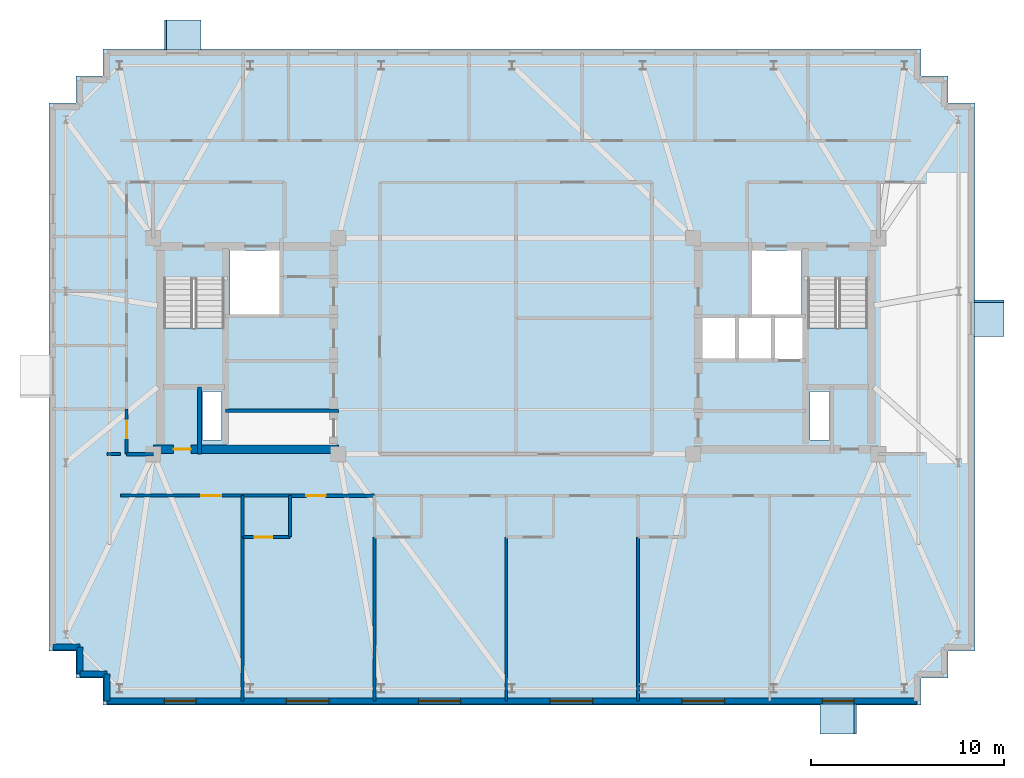
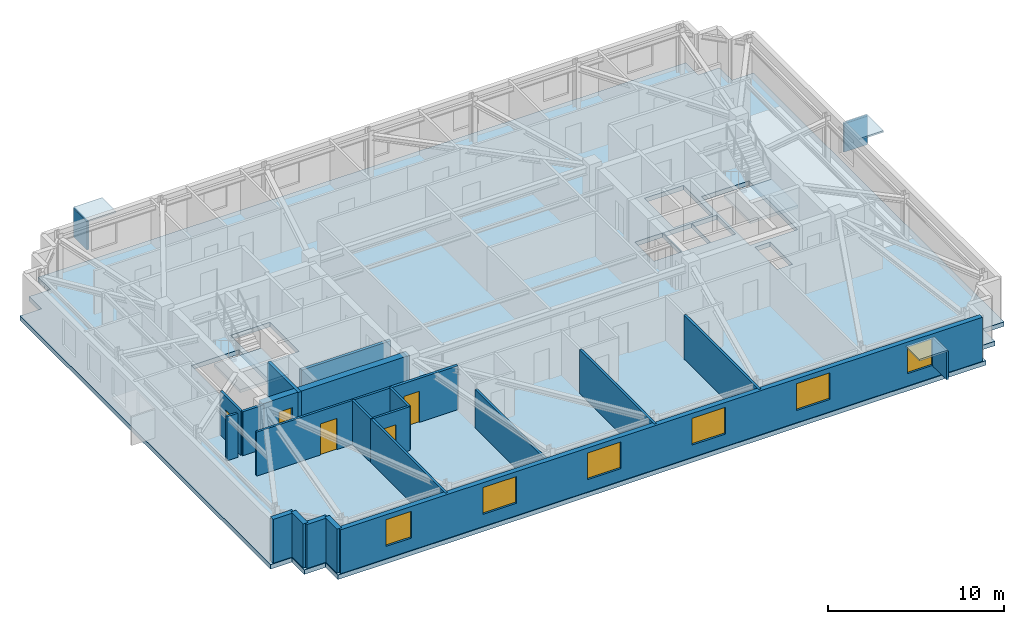
# One storey, part 5 of 11: 21 walls, 6 plates, 6 windows, 5 doors, 3 slabs, 11 openings, 2 elements without a shape of their own.
"""IFC4 building model written with IfcOpenShell, lengths in metres."""

from ifc_helpers import new_model, si_unit, direction, frame, frame_2d, origin, origin_2d, place, context, subcontext, project, spatial, polyline, rectangle, outline, extrude, material, layer, layer_set, type_object, element, fill, aggregate, save


model = new_model("IFC4")

# Units and contexts
model_context = context("Model", 3, precision=1e-05, world=origin(), true_north=direction((0.0, 1.0)))
body_context = subcontext(model_context, "Body", "Model", "MODEL_VIEW")
ifc_project = project(units=[si_unit("LENGTHUNIT", "METRE"), si_unit("AREAUNIT", "SQUARE_METRE"), si_unit("VOLUMEUNIT", "CUBIC_METRE"), si_unit("PLANEANGLEUNIT", "RADIAN"), si_unit("MASSUNIT", "GRAM", prefix="KILO")], contexts=[model_context])

# Site, building, storey
site_placement = place(None, origin())
site = spatial("IfcSite", under=ifc_project, at=site_placement, CompositionType="ELEMENT")
building_placement = place(site_placement, origin())
building = spatial("IfcBuilding", under=site, at=building_placement, Name="Qobustan Lattice House", CompositionType="ELEMENT")
storey_placement = place(building_placement, frame((0.0, 0.0, 248.39990234375)))
storey = spatial("IfcBuildingStorey", under=building, at=storey_placement, Name="L70", CompositionType="ELEMENT", Elevation=248.39990234375)

# Plates
ifc_material_1 = material(Name="Qobustan limestone GFRC", Category="masonry")
ifc_layer_1 = layer(ifc_material_1, 0.1201171875)
ifc_layer_set_1 = layer_set([ifc_layer_1], Name="Qobustan limestone GFRC")
plate_type = type_object("IfcPlateType", Name="SHD-HOOD-BROW", PredefinedType="USERDEFINED", material=ifc_layer_set_1)
plate_1_placement = place(storey_placement, frame((-17.280029296875, 16.1298828125, 2.699951171875), z_axis=(0.0, 0.0, 1.0), x_axis=(1.0, 0.0, 0.0)))
element("IfcPlate", 1, at=plate_1_placement, inside=storey, type_object=plate_type, Name="L70 splayed Qobustan stone hood brow", ObjectType="SUNSHADE", PredefinedType="USERDEFINED", context=body_context, shape_type="SweptSolid", body=[
    extrude(rectangle(XDim=1.889892578125, YDim=1.56005859375, at=origin_2d()), origin(), (0.0, 0.0, 1.0), 0.1201171875),
])
plate_2_placement = place(storey_placement, frame((-18.1650390625, 16.1298828125, 0.7900390625), z_axis=(0.0, 0.0, 1.0), x_axis=(1.0, 0.0, 0.0)))
element("IfcPlate", 2, at=plate_2_placement, inside=storey, type_object=plate_type, Name="L70 splayed Qobustan stone hood cheek", ObjectType="SUNSHADE", PredefinedType="USERDEFINED", context=body_context, shape_type="SweptSolid", body=[
    extrude(rectangle(XDim=0.1201171875, YDim=1.56005859375, at=origin_2d()), origin(), (0.0, 0.0, 1.0), 1.969970703125),
])
plate_3_placement = place(storey_placement, frame((24.530029296875, 1.43994140625, 2.699951171875), z_axis=(0.0, 0.0, 1.0), x_axis=(0.0, -1.0, 0.0)))
element("IfcPlate", 3, at=plate_3_placement, inside=storey, type_object=plate_type, Name="L70 splayed Qobustan stone hood brow", ObjectType="SUNSHADE", PredefinedType="USERDEFINED", context=body_context, shape_type="SweptSolid", body=[
    extrude(rectangle(XDim=1.889892578125, YDim=1.56005859375, at=origin_2d()), origin(), (0.0, 0.0, 1.0), 0.1201171875),
])
plate_4_placement = place(storey_placement, frame((24.530029296875, 2.324951171875, 0.7900390625), z_axis=(0.0, 0.0, 1.0), x_axis=(0.0, -1.0, 0.0)))
element("IfcPlate", 4, at=plate_4_placement, inside=storey, type_object=plate_type, Name="L70 splayed Qobustan stone hood cheek", ObjectType="SUNSHADE", PredefinedType="USERDEFINED", context=body_context, shape_type="SweptSolid", body=[
    extrude(rectangle(XDim=0.1201171875, YDim=1.56005859375, at=origin_2d()), origin(), (0.0, 0.0, 1.0), 1.969970703125),
])
plate_5_placement = place(storey_placement, frame((16.719970703125, -19.330078125, 2.699951171875), z_axis=(0.0, 0.0, 1.0), x_axis=(-1.0, 0.0, 0.0)))
element("IfcPlate", 5, at=plate_5_placement, inside=storey, type_object=plate_type, Name="L70 splayed Qobustan stone hood brow", ObjectType="SUNSHADE", PredefinedType="USERDEFINED", context=body_context, shape_type="SweptSolid", body=[
    extrude(rectangle(XDim=1.889892578125, YDim=1.56005859375, at=origin_2d()), origin(), (0.0, 0.0, 1.0), 0.1201171875),
])
plate_6_placement = place(storey_placement, frame((17.60498046875, -19.330078125, 0.7900390625), z_axis=(0.0, 0.0, 1.0), x_axis=(-1.0, 0.0, 0.0)))
element("IfcPlate", 6, at=plate_6_placement, inside=storey, type_object=plate_type, Name="L70 splayed Qobustan stone hood cheek", ObjectType="SUNSHADE", PredefinedType="USERDEFINED", context=body_context, shape_type="SweptSolid", body=[
    extrude(rectangle(XDim=0.1201171875, YDim=1.56005859375, at=origin_2d()), origin(), (0.0, 0.0, 1.0), 1.969970703125),
])

# Slab
ifc_material_2 = material(Name="Concrete C40/50", Category="concrete")
ifc_layer_2 = layer(ifc_material_2, 0.31005859375)
ifc_layer_set_2 = layer_set([ifc_layer_2], Name="Concrete C40/50")
slab_type_1 = type_object("IfcSlabType", Name="SLB-FLR-310", PredefinedType="FLOOR", material=ifc_layer_set_2)
slab_1_placement = place(storey_placement, frame((0.0, 0.0, -0.309814453125)))
element("IfcSlab", 7, at=slab_1_placement, inside=storey, type_object=slab_type_1, Name="L70 structural floor slab", PredefinedType="FLOOR", context=body_context, shape_type="SweptSolid", body=[
    extrude(outline(polyline([(-21.39990234375, -18.60009765625), (21.0, -18.60009765625), (21.0, -17.199951171875), (22.39990234375, -17.199951171875), (22.39990234375, -15.800048828125), (23.800048828125, -15.800048828125), (23.800048828125, 12.60009765625), (22.39990234375, 12.60009765625), (22.39990234375, 14.0), (21.0, 14.0), (21.0, 15.39990234375), (-21.39990234375, 15.39990234375), (-21.39990234375, 14.0), (-22.800048828125, 14.0), (-22.800048828125, 12.60009765625), (-24.199951171875, 12.60009765625), (-24.199951171875, -15.800048828125), (-22.800048828125, -15.800048828125), (-22.800048828125, -17.199951171875), (-21.39990234375, -17.199951171875), (-21.39990234375, -18.60009765625)]), holes=[polyline([(-18.25, -2.050048828125), (-18.25, 3.489990234375), (-15.1298828125, 3.489990234375), (-15.1298828125, -2.050048828125), (-18.25, -2.050048828125)]), polyline([(15.1298828125, -2.050048828125), (15.1298828125, 3.489990234375), (18.25, 3.489990234375), (18.25, -2.050048828125), (15.1298828125, -2.050048828125)]), polyline([(-14.820068359375, 1.64990234375), (-14.820068359375, 4.9599609375), (-12.25, 4.9599609375), (-12.25, 1.64990234375), (-14.820068359375, 1.64990234375)]), polyline([(12.25, 1.64990234375), (12.25, 4.9599609375), (14.820068359375, 4.9599609375), (14.820068359375, 1.64990234375), (12.25, 1.64990234375)]), polyline([(-16.260009765625, -4.8798828125), (-16.260009765625, -2.360107421875), (-15.260009765625, -2.360107421875), (-15.260009765625, -4.8798828125), (-16.260009765625, -4.8798828125)]), polyline([(15.260009765625, -4.8798828125), (15.260009765625, -2.360107421875), (16.260009765625, -2.360107421875), (16.260009765625, -4.8798828125), (15.260009765625, -4.8798828125)]), polyline([(13.360107421875, -0.679931640625), (13.360107421875, 1.47998046875), (14.97998046875, 1.47998046875), (14.97998046875, -0.679931640625), (13.360107421875, -0.679931640625)]), polyline([(9.6201171875, -0.679931640625), (9.6201171875, 1.47998046875), (11.43994140625, 1.47998046875), (11.43994140625, -0.679931640625), (9.6201171875, -0.679931640625)]), polyline([(11.5, -0.679931640625), (11.5, 1.47998046875), (13.320068359375, 1.47998046875), (13.320068359375, -0.679931640625), (11.5, -0.679931640625)])]), origin(), (0.0, 0.0, 1.0), 0.309814453125),
])

# Stair, slab
ifc_material_3 = material(Name="Concrete C40/50", Category="concrete")
stair_type = type_object("IfcStairType", Name="STR-CORE-DOGLEG", PredefinedType="HALF_TURN_STAIR", material=ifc_material_3)
stair_1_placement = place(storey_placement, origin())
stair_1 = element("IfcStair", 8, at=stair_1_placement, inside=storey, type_object=stair_type, Name="L70 West protected exit stair ST-W1", PredefinedType="HALF_TURN_STAIR")
ifc_material_4 = material(Name="Concrete C40/50", Category="concrete")
ifc_layer_3 = layer(ifc_material_4, 0.199951171875)
ifc_layer_set_3 = layer_set([ifc_layer_3], Name="Concrete C40/50")
slab_type_2 = type_object("IfcSlabType", Name="SLB-LANDING-200", PredefinedType="LANDING", material=ifc_layer_set_3)
slab_2_placement = place(storey_placement, frame((0.0, 0.0, 1.47509765625)))
slab_2 = element("IfcSlab", 9, at=slab_2_placement, type_object=slab_type_2, Name="ST-W1 landing 1", PredefinedType="LANDING", context=body_context, shape_type="SweptSolid", body=[
    extrude(outline(polyline([(-18.25, 0.93505859375), (-18.25, -2.050048828125), (-15.1298828125, -2.050048828125), (-15.1298828125, 0.93505859375), (-18.25, 0.93505859375)])), origin(), (0.0, 0.0, 1.0), 0.199951171875),
])
aggregate(stair_1, [slab_2])

stair_2_placement = place(storey_placement, origin())
stair_2 = element("IfcStair", 10, at=stair_2_placement, inside=storey, type_object=stair_type, Name="L70 East protected exit stair ST-E1", PredefinedType="HALF_TURN_STAIR")
slab_3_placement = place(storey_placement, frame((0.0, 0.0, 1.47509765625)))
slab_3 = element("IfcSlab", 11, at=slab_3_placement, type_object=slab_type_2, Name="ST-E1 landing 1", PredefinedType="LANDING", context=body_context, shape_type="SweptSolid", body=[
    extrude(outline(polyline([(15.1298828125, 0.93505859375), (15.1298828125, -2.050048828125), (18.25, -2.050048828125), (18.25, 0.93505859375), (15.1298828125, 0.93505859375)])), origin(), (0.0, 0.0, 1.0), 0.199951171875),
])
aggregate(stair_2, [slab_3])

# Wall, opening, door
ifc_material_5 = material(Name="Concrete C50/60", Category="concrete")
ifc_layer_4 = layer(ifc_material_5, 0.43994140625)
ifc_layer_set_4 = layer_set([ifc_layer_4], Name="Concrete C50/60")
wall_type_1 = type_object("IfcWallType", Name="WAL-CORE-440", PredefinedType="SHEAR", material=ifc_layer_set_4)
wall_1_placement = place(storey_placement, frame((-18.800048828125, -5.35009765625, 0.0), z_axis=(0.0, 0.0, 1.0), x_axis=(1.0, 0.0, 0.0)))
wall_1 = element("IfcWall", 12, at=wall_1_placement, inside=storey, type_object=wall_type_1, Name="L70 split-core shear wall CW-S", PredefinedType="SHEAR", context=body_context, shape_type="SweptSolid", body=[
    extrude(rectangle(XDim=9.60009765625, YDim=0.43994140625, at=frame_2d((4.800048828125, 0.0))), origin(), (0.0, 0.0, 1.0), 3.0400390625),
])
opening_1_placement = place(wall_1_placement, frame((1.050048828125, 0.0, 0.0)))
opening_1 = element("IfcOpeningElement", 13, at=opening_1_placement, cuts=wall_1, Name="Opening RD-01", PredefinedType="OPENING", context=body_context, shape_type="SweptSolid", body=[
    extrude(rectangle(XDim=0.89990234375, YDim=2.10009765625, at=frame_2d((0.449951171875, 1.050048828125))), frame((0.0, 0.22998046875, 0.0), z_axis=(0.0, -1.0, 0.0), x_axis=(1.0, 0.0, 0.0)), (0.0, 0.0, 1.0), 0.4599609375),
])
ifc_material_6 = material(Name="Persian walnut timber and steel frame door", Category="steel")
door_type_1 = type_object("IfcDoorType", Name="DOR-RISER-FD-900x2100", OperationType="NOTDEFINED", PredefinedType="DOOR", material=ifc_material_6)
door_1_placement = place(opening_1_placement, origin())
door_1 = element("IfcDoor", 14, at=door_1_placement, inside=storey, type_object=door_type_1, Name="L70 core service riser access door W", OperationType="SINGLE_SWING_RIGHT", OverallHeight=2.10009765625, OverallWidth=0.89990234375, PredefinedType="DOOR", context=body_context, shape_type="SweptSolid", body=[
    extrude(rectangle(XDim=0.89990234375, YDim=2.10009765625, at=frame_2d((0.449951171875, 1.050048828125))), frame((0.0, 0.02490234375, 0.0), z_axis=(0.0, -1.0, 0.0), x_axis=(1.0, 0.0, 0.0)), (0.0, 0.0, 1.0), 0.050048828125),
])
fill(opening_1, door_1)

# Walls
ifc_material_7 = material(Name="Precast concrete C40/50", Category="concrete")
ifc_layer_5 = layer(ifc_material_7, 0.320068359375)
ifc_layer_set_5 = layer_set([ifc_layer_5], Name="Precast concrete C40/50")
wall_type_2 = type_object("IfcWallType", Name="WAL-EXT-STONE-320", PredefinedType="SOLIDWALL", material=ifc_layer_set_5)
wall_2_placement = place(storey_placement, frame((-21.199951171875, -18.39990234375, 0.0), z_axis=(0.0, 0.0, 1.0), x_axis=(0.0, 1.0, 0.0)))
element("IfcWall", 15, at=wall_2_placement, inside=storey, type_object=wall_type_2, Name="L70 exterior limestone-clad wall 1", PredefinedType="SOLIDWALL", context=body_context, shape_type="SweptSolid", body=[
    extrude(rectangle(XDim=1.39990234375, YDim=0.320068359375, at=frame_2d((0.699951171875, 0.0))), origin(), (0.0, 0.0, 1.0), 3.0400390625),
])
wall_3_placement = place(storey_placement, frame((-21.199951171875, -17.0, 0.0), z_axis=(0.0, 0.0, 1.0), x_axis=(-1.0, 0.0, 0.0)))
element("IfcWall", 16, at=wall_3_placement, inside=storey, type_object=wall_type_2, Name="L70 exterior limestone-clad wall 2", PredefinedType="SOLIDWALL", context=body_context, shape_type="SweptSolid", body=[
    extrude(rectangle(XDim=1.400146484375, YDim=0.320068359375, at=frame_2d((0.7001953125, 0.0))), origin(), (0.0, 0.0, 1.0), 3.0400390625),
])
for number, where, z_axis, x_axis, name in (
    (17, (-22.60009765625, -17.0, 0.0), (0.0, 0.0, 1.0), (0.0, 1.0, 0.0), "L70 exterior limestone-clad wall 3"),
    (18, (-22.60009765625, -15.60009765625, 0.0), (0.0, 0.0, 1.0), (-1.0, 0.0, 0.0), "L70 exterior limestone-clad wall 4"),
):
    element("IfcWall", number, at=place(storey_placement, frame(where, z_axis=z_axis, x_axis=x_axis)), inside=storey, type_object=wall_type_2, Name=name, PredefinedType="SOLIDWALL", context=body_context, shape_type="SweptSolid", body=[
        extrude(rectangle(XDim=1.39990234375, YDim=0.320068359375, at=frame_2d((0.699951171875, 0.0))), origin(), (0.0, 0.0, 1.0), 3.0400390625),
    ])

# Wall, openings, windows
wall_4_placement = place(storey_placement, frame((20.800048828125, -18.39990234375, 0.0), z_axis=(0.0, 0.0, 1.0), x_axis=(-1.0, 0.0, 0.0)))
wall_4 = element("IfcWall", 19, at=wall_4_placement, inside=storey, type_object=wall_type_2, Name="L70 exterior limestone-clad wall 20", PredefinedType="SOLIDWALL", context=body_context, shape_type="SweptSolid", body=[
    extrude(rectangle(XDim=42.0, YDim=0.320068359375, at=frame_2d((21.0, 0.0))), origin(), (0.0, 0.0, 1.0), 3.0400390625),
])
opening_2_placement = place(wall_4_placement, frame((3.2548828125, 0.0, 0.85009765625)))
opening_2 = element("IfcOpeningElement", 20, at=opening_2_placement, cuts=wall_4, Name="Opening WN-09", PredefinedType="OPENING", context=body_context, shape_type="SweptSolid", body=[
    extrude(rectangle(XDim=1.64990234375, YDim=1.85009765625, at=frame_2d((0.824951171875, 0.925048828125))), frame((0.0, 0.169921875, 0.0), z_axis=(0.0, -1.0, 0.0), x_axis=(1.0, 0.0, 0.0)), (0.0, 0.0, 1.0), 0.340087890625),
])
opening_3_placement = place(wall_4_placement, frame((9.97998046875, 0.0, 0.85009765625)))
opening_3 = element("IfcOpeningElement", 21, at=opening_3_placement, cuts=wall_4, Name="Opening WN-03", PredefinedType="OPENING", context=body_context, shape_type="SweptSolid", body=[
    extrude(rectangle(XDim=2.199951171875, YDim=1.85009765625, at=frame_2d((1.10009765625, 0.925048828125))), frame((0.0, 0.169921875, 0.0), z_axis=(0.0, -1.0, 0.0), x_axis=(1.0, 0.0, 0.0)), (0.0, 0.0, 1.0), 0.340087890625),
])
opening_4_placement = place(wall_4_placement, frame((16.820068359375, 0.0, 0.85009765625)))
opening_4 = element("IfcOpeningElement", 22, at=opening_4_placement, cuts=wall_4, Name="Opening WN-03", PredefinedType="OPENING", context=body_context, shape_type="SweptSolid", body=[
    extrude(rectangle(XDim=2.199951171875, YDim=1.85009765625, at=frame_2d((1.10009765625, 0.925048828125))), frame((0.0, 0.169921875, 0.0), z_axis=(0.0, -1.0, 0.0), x_axis=(1.0, 0.0, 0.0)), (0.0, 0.0, 1.0), 0.340087890625),
])
opening_5_placement = place(wall_4_placement, frame((23.659912109375, 0.0, 0.85009765625)))
opening_5 = element("IfcOpeningElement", 23, at=opening_5_placement, cuts=wall_4, Name="Opening WN-03", PredefinedType="OPENING", context=body_context, shape_type="SweptSolid", body=[
    extrude(rectangle(XDim=2.199951171875, YDim=1.85009765625, at=frame_2d((1.10009765625, 0.925048828125))), frame((0.0, 0.169921875, 0.0), z_axis=(0.0, -1.0, 0.0), x_axis=(1.0, 0.0, 0.0)), (0.0, 0.0, 1.0), 0.340087890625),
])
opening_6_placement = place(wall_4_placement, frame((30.5, 0.0, 0.85009765625)))
opening_6 = element("IfcOpeningElement", 24, at=opening_6_placement, cuts=wall_4, Name="Opening WN-03", PredefinedType="OPENING", context=body_context, shape_type="SweptSolid", body=[
    extrude(rectangle(XDim=2.199951171875, YDim=1.85009765625, at=frame_2d((1.10009765625, 0.925048828125))), frame((0.0, 0.169921875, 0.0), z_axis=(0.0, -1.0, 0.0), x_axis=(1.0, 0.0, 0.0)), (0.0, 0.0, 1.0), 0.340087890625),
])
opening_7_placement = place(wall_4_placement, frame((37.375, 0.0, 0.85009765625)))
opening_7 = element("IfcOpeningElement", 25, at=opening_7_placement, cuts=wall_4, Name="Opening WN-09", PredefinedType="OPENING", context=body_context, shape_type="SweptSolid", body=[
    extrude(rectangle(XDim=1.64990234375, YDim=1.85009765625, at=frame_2d((0.824951171875, 0.925048828125))), frame((0.0, 0.169921875, 0.0), z_axis=(0.0, -1.0, 0.0), x_axis=(1.0, 0.0, 0.0)), (0.0, 0.0, 1.0), 0.340087890625),
])
ifc_material_8 = material(Name="Double-glazed low-E aluminium window", Category="aluminium")
window_type_1 = type_object("IfcWindowType", Name="WIN-STU-1650x1850", PartitioningType="SINGLE_PANEL", PredefinedType="WINDOW", material=ifc_material_8)
window_1_placement = place(opening_2_placement, origin())
window_1 = element("IfcWindow", 26, at=window_1_placement, inside=storey, type_object=window_type_1, Name="L70 Group study room window", OverallHeight=1.85009765625, OverallWidth=1.64990234375, PartitioningType="SINGLE_PANEL", PredefinedType="WINDOW", context=body_context, shape_type="SweptSolid", body=[
    extrude(rectangle(XDim=1.64990234375, YDim=1.85009765625, at=frame_2d((0.824951171875, 0.925048828125))), frame((0.0, 0.030029296875, 0.0), z_axis=(0.0, -1.0, 0.0), x_axis=(1.0, 0.0, 0.0)), (0.0, 0.0, 1.0), 0.06005859375),
])
fill(opening_2, window_1)
window_2_placement = place(opening_7_placement, origin())
window_2 = element("IfcWindow", 27, at=window_2_placement, inside=storey, type_object=window_type_1, Name="L70 Focus study room S1 window", OverallHeight=1.85009765625, OverallWidth=1.64990234375, PartitioningType="SINGLE_PANEL", PredefinedType="WINDOW", context=body_context, shape_type="SweptSolid", body=[
    extrude(rectangle(XDim=1.64990234375, YDim=1.85009765625, at=frame_2d((0.824951171875, 0.925048828125))), frame((0.0, 0.030029296875, 0.0), z_axis=(0.0, -1.0, 0.0), x_axis=(1.0, 0.0, 0.0)), (0.0, 0.0, 1.0), 0.06005859375),
])
fill(opening_7, window_2)
ifc_material_9 = material(Name="Double-glazed low-E aluminium window", Category="aluminium")
window_type_2 = type_object("IfcWindowType", Name="WIN-WIDE-2200x1850", PartitioningType="SINGLE_PANEL", PredefinedType="WINDOW", material=ifc_material_9)
window_3_placement = place(opening_3_placement, origin())
window_3 = element("IfcWindow", 28, at=window_3_placement, inside=storey, type_object=window_type_2, Name="L70 Kitchenette and studio apartment L70-S5 window", OverallHeight=1.85009765625, OverallWidth=2.199951171875, PartitioningType="SINGLE_PANEL", PredefinedType="WINDOW", context=body_context, shape_type="SweptSolid", body=[
    extrude(rectangle(XDim=2.199951171875, YDim=1.85009765625, at=frame_2d((1.10009765625, 0.925048828125))), frame((0.0, 0.030029296875, 0.0), z_axis=(0.0, -1.0, 0.0), x_axis=(1.0, 0.0, 0.0)), (0.0, 0.0, 1.0), 0.06005859375),
])
fill(opening_3, window_3)
window_4_placement = place(opening_4_placement, origin())
window_4 = element("IfcWindow", 29, at=window_4_placement, inside=storey, type_object=window_type_2, Name="L70 Kitchenette and studio apartment L70-S4 window", OverallHeight=1.85009765625, OverallWidth=2.199951171875, PartitioningType="SINGLE_PANEL", PredefinedType="WINDOW", context=body_context, shape_type="SweptSolid", body=[
    extrude(rectangle(XDim=2.199951171875, YDim=1.85009765625, at=frame_2d((1.10009765625, 0.925048828125))), frame((0.0, 0.030029296875, 0.0), z_axis=(0.0, -1.0, 0.0), x_axis=(1.0, 0.0, 0.0)), (0.0, 0.0, 1.0), 0.06005859375),
])
fill(opening_4, window_4)
window_5_placement = place(opening_5_placement, origin())
window_5 = element("IfcWindow", 30, at=window_5_placement, inside=storey, type_object=window_type_2, Name="L70 Kitchenette and studio apartment L70-S3 window", OverallHeight=1.85009765625, OverallWidth=2.199951171875, PartitioningType="SINGLE_PANEL", PredefinedType="WINDOW", context=body_context, shape_type="SweptSolid", body=[
    extrude(rectangle(XDim=2.199951171875, YDim=1.85009765625, at=frame_2d((1.10009765625, 0.925048828125))), frame((0.0, 0.030029296875, 0.0), z_axis=(0.0, -1.0, 0.0), x_axis=(1.0, 0.0, 0.0)), (0.0, 0.0, 1.0), 0.06005859375),
])
fill(opening_5, window_5)
window_6_placement = place(opening_6_placement, origin())
window_6 = element("IfcWindow", 31, at=window_6_placement, inside=storey, type_object=window_type_2, Name="L70 Kitchenette and studio apartment L70-S2 window", OverallHeight=1.85009765625, OverallWidth=2.199951171875, PartitioningType="SINGLE_PANEL", PredefinedType="WINDOW", context=body_context, shape_type="SweptSolid", body=[
    extrude(rectangle(XDim=2.199951171875, YDim=1.85009765625, at=frame_2d((1.10009765625, 0.925048828125))), frame((0.0, 0.030029296875, 0.0), z_axis=(0.0, -1.0, 0.0), x_axis=(1.0, 0.0, 0.0)), (0.0, 0.0, 1.0), 0.06005859375),
])
fill(opening_6, window_6)

# Walls
ifc_material_10 = material(Name="Gypsum fireboard acoustic partition", Category="gypsum")
ifc_layer_6 = layer(ifc_material_10, 0.179931640625)
ifc_layer_set_6 = layer_set([ifc_layer_6], Name="Gypsum fireboard acoustic partition")
wall_type_3 = type_object("IfcWallType", Name="WAL-FIRE-180", PredefinedType="PARTITIONING", material=ifc_layer_set_6)
wall_5_placement = place(storey_placement, frame((-15.050048828125, -3.35009765625, 0.0), z_axis=(0.0, 0.0, 1.0), x_axis=(1.0, 0.0, 0.0)))
element("IfcWall", 32, at=wall_5_placement, inside=storey, type_object=wall_type_3, Name="L70 interior partition 10", PredefinedType="PARTITIONING", context=body_context, shape_type="SweptSolid", body=[
    extrude(rectangle(XDim=5.85009765625, YDim=0.179931640625, at=frame_2d((2.925048828125, 0.0))), origin(), (0.0, 0.0, 1.0), 2.755126953125),
])
wall_6_placement = place(storey_placement, frame((-20.179931640625, -5.60009765625, 0.0), z_axis=(0.0, 0.0, 1.0), x_axis=(1.0, 0.0, 0.0)))
element("IfcWall", 33, at=wall_6_placement, inside=storey, type_object=wall_type_3, Name="L70 interior partition 44", PredefinedType="PARTITIONING", context=body_context, shape_type="SweptSolid", body=[
    extrude(rectangle(XDim=1.3798828125, YDim=0.179931640625, at=frame_2d((0.68994140625, 0.0))), origin(), (0.0, 0.0, 1.0), 3.0400390625),
])

# Wall, opening, door
wall_7_placement = place(storey_placement, frame((-7.3330078125, -7.75, 0.0), z_axis=(0.0, 0.0, 1.0), x_axis=(-1.0, 0.0, 0.0)))
wall_7 = element("IfcWall", 34, at=wall_7_placement, inside=storey, type_object=wall_type_3, Name="L70 interior partition 47", PredefinedType="PARTITIONING", context=body_context, shape_type="SweptSolid", body=[
    extrude(rectangle(XDim=4.384033203125, YDim=0.179931640625, at=frame_2d((2.19189453125, 0.0))), origin(), (0.0, 0.0, 1.0), 3.0400390625),
])
opening_8_placement = place(wall_7_placement, frame((2.52587890625, 0.0, 0.0)))
opening_8 = element("IfcOpeningElement", 35, at=opening_8_placement, cuts=wall_7, Name="Opening FD-02", PredefinedType="OPENING", context=body_context, shape_type="SweptSolid", body=[
    extrude(rectangle(XDim=1.0, YDim=2.14990234375, at=frame_2d((0.5, 1.074951171875))), frame((0.0, 0.099853515625, 0.0), z_axis=(0.0, -1.0, 0.0), x_axis=(1.0, 0.0, 0.0)), (0.0, 0.0, 1.0), 0.199951171875),
])
ifc_material_11 = material(Name="Persian walnut timber and steel frame door", Category="steel")
door_type_2 = type_object("IfcDoorType", Name="DOR-UNIT-FD-1000x2150", OperationType="NOTDEFINED", PredefinedType="DOOR", material=ifc_material_11)
door_2_placement = place(opening_8_placement, origin())
door_2 = element("IfcDoor", 36, at=door_2_placement, inside=storey, type_object=door_type_2, Name="L70 South-west floor corridor to Kitchenette and studio apartment L70-S2 door", OperationType="SINGLE_SWING_RIGHT", OverallHeight=2.14990234375, OverallWidth=1.0, PredefinedType="DOOR", context=body_context, shape_type="SweptSolid", body=[
    extrude(rectangle(XDim=1.0, YDim=2.14990234375, at=frame_2d((0.5, 1.074951171875))), frame((0.0, 0.02490234375, 0.0), z_axis=(0.0, -1.0, 0.0), x_axis=(1.0, 0.0, 0.0)), (0.0, 0.0, 1.0), 0.050048828125),
])
fill(opening_8, door_2)

ifc_material_12 = material(Name="Acoustic twin-stud gypsum partition", Category="gypsum")
ifc_layer_7 = layer(ifc_material_12, 0.14990234375)
ifc_layer_set_7 = layer_set([ifc_layer_7], Name="Acoustic twin-stud gypsum partition")
wall_type_4 = type_object("IfcWallType", Name="WAL-PART-150", PredefinedType="PARTITIONING", material=ifc_layer_set_7)
wall_8_placement = place(storey_placement, frame((-14.1669921875, -7.75, 0.0), z_axis=(0.0, 0.0, 1.0), x_axis=(-1.0, 0.0, 0.0)))
wall_8 = element("IfcWall", 37, at=wall_8_placement, inside=storey, type_object=wall_type_4, Name="L70 interior partition 46", PredefinedType="PARTITIONING", context=body_context, shape_type="SweptSolid", body=[
    extrude(rectangle(XDim=6.3330078125, YDim=0.14990234375, at=frame_2d((3.16650390625, 0.0))), origin(), (0.0, 0.0, 1.0), 3.0400390625),
])
opening_9_placement = place(wall_8_placement, frame((1.095458984375, 0.0, 0.0)))
opening_9 = element("IfcOpeningElement", 38, at=opening_9_placement, cuts=wall_8, Name="Opening ID-02", PredefinedType="OPENING", context=body_context, shape_type="SweptSolid", body=[
    extrude(rectangle(XDim=1.050048828125, YDim=2.14990234375, at=frame_2d((0.52490234375, 1.074951171875))), frame((0.0, 0.0849609375, 0.0), z_axis=(0.0, -1.0, 0.0), x_axis=(1.0, 0.0, 0.0)), (0.0, 0.0, 1.0), 0.169921875),
])
ifc_material_13 = material(Name="Persian walnut timber and steel frame door", Category="steel")
door_type_3 = type_object("IfcDoorType", Name="DOR-STUDY-1050x2150", OperationType="NOTDEFINED", PredefinedType="DOOR", material=ifc_material_13)
door_3_placement = place(opening_9_placement, origin())
door_3 = element("IfcDoor", 39, at=door_3_placement, inside=storey, type_object=door_type_3, Name="L70 South-west floor corridor to Focus study room S1 door", OperationType="SINGLE_SWING_LEFT", OverallHeight=2.14990234375, OverallWidth=1.050048828125, PredefinedType="DOOR", context=body_context, shape_type="SweptSolid", body=[
    extrude(rectangle(XDim=1.050048828125, YDim=2.14990234375, at=frame_2d((0.52490234375, 1.074951171875))), frame((0.0, 0.02490234375, 0.0), z_axis=(0.0, -1.0, 0.0), x_axis=(1.0, 0.0, 0.0)), (0.0, 0.0, 1.0), 0.050048828125),
])
fill(opening_9, door_3)

# Walls
wall_9_placement = place(storey_placement, frame((-14.1669921875, -9.89990234375, 0.0), z_axis=(0.0, 0.0, 1.0), x_axis=(0.0, -1.0, 0.0)))
element("IfcWall", 40, at=wall_9_placement, inside=storey, type_object=wall_type_4, Name="L70 interior partition 80", PredefinedType="PARTITIONING", context=body_context, shape_type="SweptSolid", body=[
    extrude(rectangle(XDim=8.5, YDim=0.14990234375, at=frame_2d((4.25, 0.0))), origin(), (0.0, 0.0, 1.0), 3.0400390625),
])
wall_10_placement = place(storey_placement, frame((-7.3330078125, -9.89990234375, 0.0), z_axis=(0.0, 0.0, 1.0), x_axis=(0.0, -1.0, 0.0)))
element("IfcWall", 41, at=wall_10_placement, inside=storey, type_object=wall_type_4, Name="L70 interior partition 84", PredefinedType="PARTITIONING", context=body_context, shape_type="SweptSolid", body=[
    extrude(rectangle(XDim=8.5, YDim=0.14990234375, at=frame_2d((4.25, 0.0))), origin(), (0.0, 0.0, 1.0), 2.6650390625),
])
for number, where, z_axis, x_axis, name in (
    (42, (-0.5, -9.89990234375, 0.0), (0.0, 0.0, 1.0), (0.0, -1.0, 0.0), "L70 interior partition 88"),
    (43, (6.3330078125, -9.89990234375, 0.0), (0.0, 0.0, 1.0), (0.0, -1.0, 0.0), "L70 interior partition 92"),
):
    element("IfcWall", number, at=place(storey_placement, frame(where, z_axis=z_axis, x_axis=x_axis)), inside=storey, type_object=wall_type_4, Name=name, PredefinedType="PARTITIONING", context=body_context, shape_type="SweptSolid", body=[
        extrude(rectangle(XDim=8.5, YDim=0.14990234375, at=frame_2d((4.25, 0.0))), origin(), (0.0, 0.0, 1.0), 3.0400390625),
    ])
ifc_material_14 = material(Name="Concrete C40/50", Category="concrete")
ifc_layer_8 = layer(ifc_material_14, 0.199951171875)
ifc_layer_set_8 = layer_set([ifc_layer_8], Name="Concrete C40/50")
wall_type_5 = type_object("IfcWallType", Name="WAL-SHAFT-200", PredefinedType="PARTITIONING", material=ifc_layer_set_8)
wall_11_placement = place(storey_placement, frame((-16.39990234375, -5.60009765625, 0.0), z_axis=(0.0, 0.0, 1.0), x_axis=(0.0, 1.0, 0.0)))
element("IfcWall", 44, at=wall_11_placement, inside=storey, type_object=wall_type_5, Name="L70 interior partition 1", PredefinedType="PARTITIONING", context=body_context, shape_type="SweptSolid", body=[
    extrude(rectangle(XDim=3.489990234375, YDim=0.199951171875, at=frame_2d((1.7451171875, 0.0))), origin(), (0.0, 0.0, 1.0), 3.0400390625),
])
ifc_material_15 = material(Name="Moisture-resistant acoustic plumbing wall", Category="gypsum")
ifc_layer_9 = layer(ifc_material_15, 0.14990234375)
ifc_layer_set_9 = layer_set([ifc_layer_9], Name="Moisture-resistant acoustic plumbing wall")
wall_type_6 = type_object("IfcWallType", Name="WAL-WET-150", PredefinedType="PLUMBINGWALL", material=ifc_layer_set_9)
wall_12_placement = place(storey_placement, frame((-21.199951171875, -5.60009765625, 0.0), z_axis=(0.0, 0.0, 1.0), x_axis=(1.0, 0.0, 0.0)))
element("IfcWall", 45, at=wall_12_placement, inside=storey, type_object=wall_type_6, Name="L70 interior partition 45", PredefinedType="PLUMBINGWALL", context=body_context, shape_type="SweptSolid", body=[
    extrude(rectangle(XDim=0.699951171875, YDim=0.14990234375, at=frame_2d((0.35009765625, 0.0))), origin(), (0.0, 0.0, 1.0), 3.0400390625),
])
wall_13_placement = place(storey_placement, frame((-11.717041015625, -7.75, 0.0), z_axis=(0.0, 0.0, 1.0), x_axis=(-1.0, 0.0, 0.0)))
element("IfcWall", 46, at=wall_13_placement, inside=storey, type_object=wall_type_6, Name="L70 interior partition 48", PredefinedType="PLUMBINGWALL", context=body_context, shape_type="SweptSolid", body=[
    extrude(rectangle(XDim=2.449951171875, YDim=0.14990234375, at=frame_2d((1.22509765625, 0.0))), origin(), (0.0, 0.0, 1.0), 3.0400390625),
])

# Wall, opening, door
wall_14_placement = place(storey_placement, frame((-20.179931640625, -5.60009765625, 0.0), z_axis=(0.0, 0.0, 1.0), x_axis=(0.0, 1.0, 0.0)))
wall_14 = element("IfcWall", 47, at=wall_14_placement, inside=storey, type_object=wall_type_6, Name="L70 interior partition 64", PredefinedType="PLUMBINGWALL", context=body_context, shape_type="SweptSolid", body=[
    extrude(rectangle(XDim=2.35009765625, YDim=0.14990234375, at=frame_2d((1.175048828125, 0.0))), origin(), (0.0, 0.0, 1.0), 3.0400390625),
])
opening_10_placement = place(wall_14_placement, frame((0.833740234375, 0.0, 0.0)))
opening_10 = element("IfcOpeningElement", 48, at=opening_10_placement, cuts=wall_14, Name="Opening WD-01", PredefinedType="OPENING", context=body_context, shape_type="SweptSolid", body=[
    extrude(rectangle(XDim=0.89990234375, YDim=2.10009765625, at=frame_2d((0.449951171875, 1.050048828125))), frame((0.0, 0.0849609375, 0.0), z_axis=(0.0, -1.0, 0.0), x_axis=(1.0, 0.0, 0.0)), (0.0, 0.0, 1.0), 0.169921875),
])
ifc_material_16 = material(Name="Persian walnut timber and steel frame door", Category="steel")
door_type_4 = type_object("IfcDoorType", Name="DOR-WET-900x2100", OperationType="NOTDEFINED", PredefinedType="DOOR", material=ifc_material_16)
door_4_placement = place(opening_10_placement, origin())
door_4 = element("IfcDoor", 49, at=door_4_placement, inside=storey, type_object=door_type_4, Name="L70 Residence entrance hall L70W to Shared bathroom L70W door", OperationType="SINGLE_SWING_LEFT", OverallHeight=2.10009765625, OverallWidth=0.89990234375, PredefinedType="DOOR", context=body_context, shape_type="SweptSolid", body=[
    extrude(rectangle(XDim=0.89990234375, YDim=2.10009765625, at=frame_2d((0.449951171875, 1.050048828125))), frame((0.0, 0.02490234375, 0.0), z_axis=(0.0, -1.0, 0.0), x_axis=(1.0, 0.0, 0.0)), (0.0, 0.0, 1.0), 0.050048828125),
])
fill(opening_10, door_4)

# Wall
wall_15_placement = place(storey_placement, frame((-14.1669921875, -7.75, 0.0), z_axis=(0.0, 0.0, 1.0), x_axis=(0.0, -1.0, 0.0)))
element("IfcWall", 50, at=wall_15_placement, inside=storey, type_object=wall_type_6, Name="L70 interior partition 81", PredefinedType="PLUMBINGWALL", context=body_context, shape_type="SweptSolid", body=[
    extrude(rectangle(XDim=2.14990234375, YDim=0.14990234375, at=frame_2d((1.074951171875, 0.0))), origin(), (0.0, 0.0, 1.0), 3.0400390625),
])

# Wall, opening, door
wall_16_placement = place(storey_placement, frame((-14.1669921875, -9.89990234375, 0.0), z_axis=(0.0, 0.0, 1.0), x_axis=(1.0, 0.0, 0.0)))
wall_16 = element("IfcWall", 51, at=wall_16_placement, inside=storey, type_object=wall_type_6, Name="L70 interior partition 82", PredefinedType="PLUMBINGWALL", context=body_context, shape_type="SweptSolid", body=[
    extrude(rectangle(XDim=2.449951171875, YDim=0.14990234375, at=frame_2d((1.22509765625, 0.0))), origin(), (0.0, 0.0, 1.0), 3.0400390625),
])
opening_11_placement = place(wall_16_placement, frame((0.628662109375, 0.0, 0.0)))
opening_11 = element("IfcOpeningElement", 52, at=opening_11_placement, cuts=wall_16, Name="Opening WD-01", PredefinedType="OPENING", context=body_context, shape_type="SweptSolid", body=[
    extrude(rectangle(XDim=0.89990234375, YDim=2.10009765625, at=frame_2d((0.449951171875, 1.050048828125))), frame((0.0, 0.0849609375, 0.0), z_axis=(0.0, -1.0, 0.0), x_axis=(1.0, 0.0, 0.0)), (0.0, 0.0, 1.0), 0.169921875),
])
door_5_placement = place(opening_11_placement, origin())
door_5 = element("IfcDoor", 53, at=door_5_placement, inside=storey, type_object=door_type_4, Name="L70 Kitchenette and studio apartment L70-S2 to En-suite bathroom L70-S2 door", OperationType="SINGLE_SWING_RIGHT", OverallHeight=2.10009765625, OverallWidth=0.89990234375, PredefinedType="DOOR", context=body_context, shape_type="SweptSolid", body=[
    extrude(rectangle(XDim=0.89990234375, YDim=2.10009765625, at=frame_2d((0.449951171875, 1.050048828125))), frame((0.0, 0.02490234375, 0.0), z_axis=(0.0, -1.0, 0.0), x_axis=(1.0, 0.0, 0.0)), (0.0, 0.0, 1.0), 0.050048828125),
])
fill(opening_11, door_5)

# Wall
wall_17_placement = place(storey_placement, frame((-11.717041015625, -9.89990234375, 0.0), z_axis=(0.0, 0.0, 1.0), x_axis=(0.0, 1.0, 0.0)))
element("IfcWall", 54, at=wall_17_placement, inside=storey, type_object=wall_type_6, Name="L70 interior partition 83", PredefinedType="PLUMBINGWALL", context=body_context, shape_type="SweptSolid", body=[
    extrude(rectangle(XDim=2.14990234375, YDim=0.14990234375, at=frame_2d((1.074951171875, 0.0))), origin(), (0.0, 0.0, 1.0), 3.0400390625),
])

save(model, "model.ifc")
